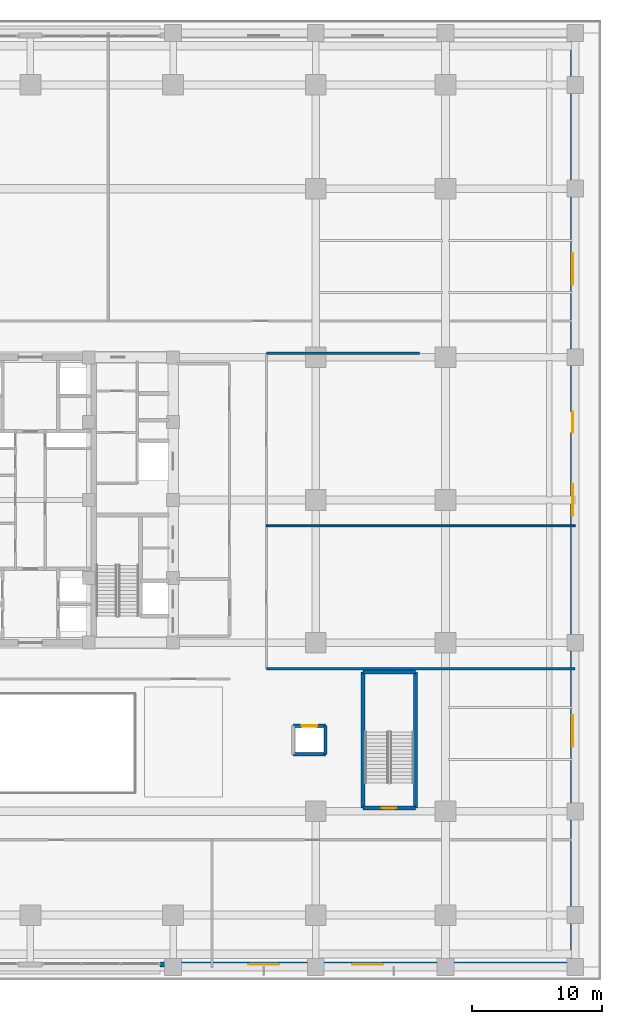
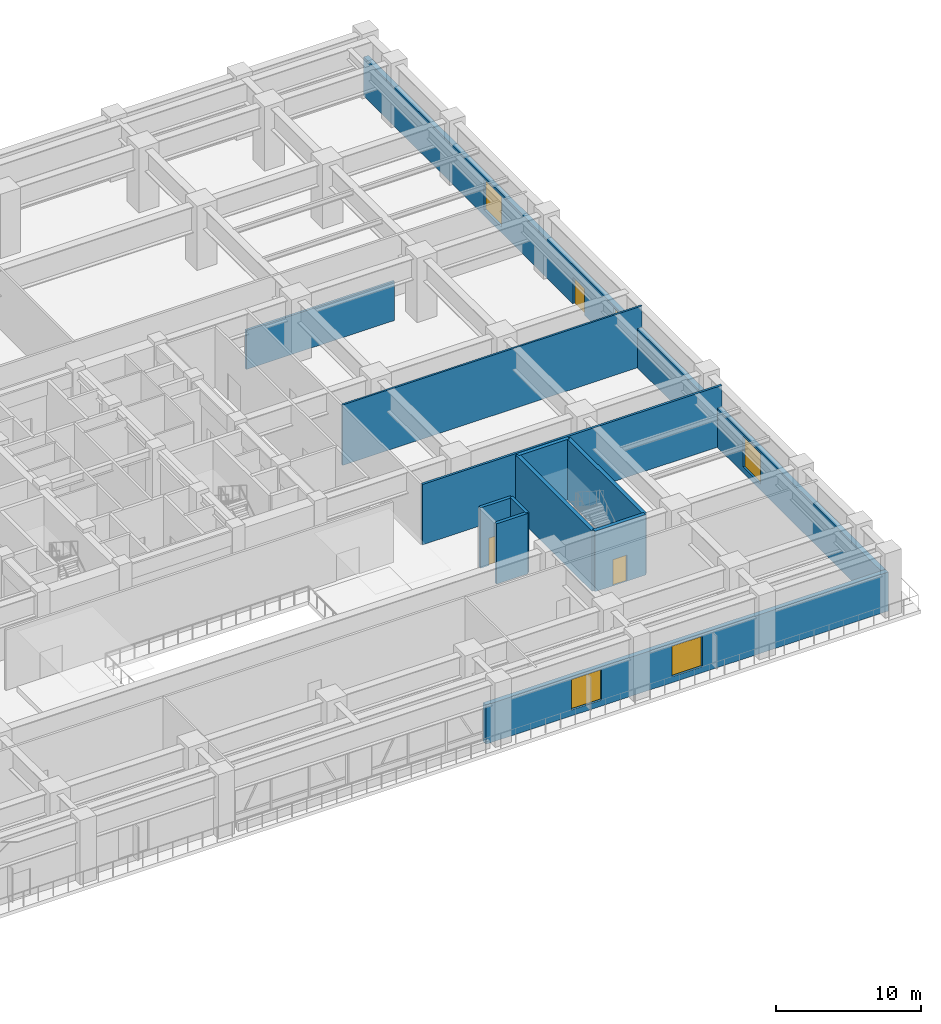
# One storey, part 20 of 28: 12 walls, 5 windows, 3 doors, 8 openings.
"""IFC4 building model written with IfcOpenShell, lengths in metres."""

import ifcopenshell
import ifcopenshell.guid

model = None  # the IFC model being written
_history = None  # IfcOwnerHistory: only IFC2X3 demands one
_inside = {}  # id of a spatial element -> (the spatial element, [elements in it])
_under = {}  # id of a project, library or spatial element -> (it, [spatial elements below it])
_declared = {}  # id of a project -> (the project, [libraries it declares])
_typed = {}  # id of a type object -> (the type object, [elements of that type])
_made_of = {}  # id of a material, layer set ... -> (it, [elements and type objects made of it])


def new_model(schema):
    """Start an empty IFC model of exactly this schema.

    Asked for "IFC4X3", IfcOpenShell would pick the latest addendum, in which some entities
    have other attributes; the version numbers below select the first issue.
    IFC2X3 requires an IfcOwnerHistory on every rooted entity: one is made here for all.
    """
    global model, _history
    if schema == "IFC4X3":
        model = ifcopenshell.file(schema_version=(4, 3, 0, 0))
    else:
        model = ifcopenshell.file(schema=schema)
    _inside.clear()
    _under.clear()
    _declared.clear()
    _typed.clear()
    _made_of.clear()
    _history = None
    if model.schema == "IFC2X3":
        org = make("IfcOrganization", Name="unknown")
        user = make(
            "IfcPersonAndOrganization",
            ThePerson=make("IfcPerson", FamilyName="unknown"),
            TheOrganization=org,
        )
        app = make(
            "IfcApplication",
            ApplicationDeveloper=org,
            Version="unknown",
            ApplicationFullName="unknown",
            ApplicationIdentifier="unknown",
        )
        _history = make(
            "IfcOwnerHistory",
            OwningUser=user,
            OwningApplication=app,
            ChangeAction="ADDED",
            CreationDate=0,
        )
    return model


def make(cls, **values):
    """One entity of the class cls with the attributes given. An attribute that is None is left unset."""
    return model.create_entity(
        cls, **{name: value for name, value in values.items() if value is not None}
    )


def rooted(cls, **values):
    """An entity with a GlobalId (a new one), such as an element, a storey or a relation."""
    return make(cls, GlobalId=ifcopenshell.guid.new(), OwnerHistory=_history, **values)


def si_unit(unit_type, name, prefix=None):
    """IfcSIUnit, for example si_unit("LENGTHUNIT", "METRE", prefix="MILLI")."""
    return make("IfcSIUnit", UnitType=unit_type, Prefix=prefix, Name=name)


def assignment(units):
    """IfcUnitAssignment: the units of a project."""
    return None if units is None else make("IfcUnitAssignment", Units=units)


def point(xyz):
    """IfcCartesianPoint."""
    return None if xyz is None else make("IfcCartesianPoint", Coordinates=xyz)


def direction(xyz):
    """IfcDirection."""
    return None if xyz is None else make("IfcDirection", DirectionRatios=xyz)


def frame(location, z_axis=None, x_axis=None):
    """IfcAxis2Placement3D, a coordinate frame: its origin and axes. An axis left out is left unset."""
    return make(
        "IfcAxis2Placement3D",
        Location=point(location),
        Axis=direction(z_axis),
        RefDirection=direction(x_axis),
    )


def frame_2d(location, x_axis=None):
    """IfcAxis2Placement2D, a coordinate frame in the plane: its origin and x axis."""
    return make(
        "IfcAxis2Placement2D", Location=point(location), RefDirection=direction(x_axis)
    )


def origin():
    """The frame at (0, 0, 0) with its axes left unset."""
    return frame((0.0, 0.0, 0.0))


def place(relative_to, where):
    """IfcLocalPlacement: puts the frame where relative to a parent placement (None: the world)."""
    return make(
        "IfcLocalPlacement", PlacementRelTo=relative_to, RelativePlacement=where
    )


def context(
    kind, dimensions, precision=None, world=None, true_north=None, identifier=None
):
    """IfcGeometricRepresentationContext, for example the 3D "Model" context."""
    return make(
        "IfcGeometricRepresentationContext",
        ContextIdentifier=identifier,
        ContextType=kind,
        CoordinateSpaceDimension=dimensions,
        Precision=precision,
        WorldCoordinateSystem=world,
        TrueNorth=true_north,
    )


def subcontext(parent, identifier, kind, view, scale=None):
    """IfcGeometricRepresentationSubContext, for example "Body" below "Model"."""
    return make(
        "IfcGeometricRepresentationSubContext",
        ContextIdentifier=identifier,
        ContextType=kind,
        ParentContext=parent,
        TargetScale=scale,
        TargetView=view,
    )


def project(units=None, contexts=None):
    """IfcProject with its units and contexts."""
    return rooted(
        "IfcProject",
        Name="project",
        RepresentationContexts=contexts,
        UnitsInContext=assignment(units),
    )


def spatial(cls, under=None, at=None, **own):
    """A site, building, storey or space (cls), placed at a placement, below another one or the project."""
    s = rooted(cls, ObjectPlacement=at, **own)
    if under is not None:
        _under.setdefault(under.id(), (under, []))[1].append(s)
    return s


def profile(cls, at=None, kind="AREA", **sizes):
    """A parametric profile (cls). Its sizes go by their IFC names, for example OverallWidth=200.0."""
    return make(cls, ProfileType=kind, Position=at, **sizes)


def rectangle(**sizes):
    """IfcRectangleProfileDef."""
    return profile("IfcRectangleProfileDef", **sizes)


def extrude(swept, where, along, depth):
    """IfcExtrudedAreaSolid: the profile swept, set in the frame where, extruded along a direction by depth."""
    return make(
        "IfcExtrudedAreaSolid",
        SweptArea=swept,
        Position=where,
        ExtrudedDirection=direction(along),
        Depth=depth,
    )


def shape(context_of_items, identifier, shape_type, items):
    """IfcShapeRepresentation: the items that make up one representation, for example the "Body"."""
    return make(
        "IfcShapeRepresentation",
        ContextOfItems=context_of_items,
        RepresentationIdentifier=identifier,
        RepresentationType=shape_type,
        Items=items,
    )


def source(mapping_origin, context_of_items, identifier, shape_type, items):
    """IfcRepresentationMap: a shape defined once, which mapped items show again and again."""
    return make(
        "IfcRepresentationMap",
        MappingOrigin=mapping_origin,
        MappedRepresentation=shape(context_of_items, identifier, shape_type, items),
    )


def transform(
    local_origin,
    x_axis=None,
    y_axis=None,
    z_axis=None,
    scale=None,
    scale2=None,
    scale3=None,
    uniform=True,
):
    """IfcCartesianTransformationOperator3D, or its non-uniform kind. x_axis, y_axis, z_axis: its Axis1, 2, 3."""
    if uniform:
        return make(
            "IfcCartesianTransformationOperator3D",
            Axis1=direction(x_axis),
            Axis2=direction(y_axis),
            LocalOrigin=point(local_origin),
            Scale=scale,
            Axis3=direction(z_axis),
        )
    return make(
        "IfcCartesianTransformationOperator3DnonUniform",
        Axis1=direction(x_axis),
        Axis2=direction(y_axis),
        LocalOrigin=point(local_origin),
        Scale=scale,
        Axis3=direction(z_axis),
        Scale2=scale2,
        Scale3=scale3,
    )


def mapped(mapping_source, mapping_target):
    """IfcMappedItem: shows the shape of a source again, moved by a transform."""
    return make(
        "IfcMappedItem", MappingSource=mapping_source, MappingTarget=mapping_target
    )


def material(Name=None, Category=None):
    """IfcMaterial."""
    return make("IfcMaterial", Name=Name, Category=Category)


def layer(
    of_material, thickness, ventilated=None, Name=None, Category=None, Priority=None
):
    """IfcMaterialLayer: one layer of a wall or slab, of a material (None: an air gap)."""
    return make(
        "IfcMaterialLayer",
        Material=of_material,
        LayerThickness=thickness,
        IsVentilated=ventilated,
        Name=Name,
        Category=Category,
        Priority=Priority,
    )


def layer_set(layers, Name=None):
    """IfcMaterialLayerSet."""
    return make("IfcMaterialLayerSet", MaterialLayers=layers, LayerSetName=Name)


def made_of(thing, what):
    """Note that an element or type object is made of a material, layer set ...; save() writes the relation."""
    if what is not None:
        _made_of.setdefault(what.id(), (what, []))[1].append(thing)
    return thing


def type_object(cls, material=None, **own):
    """A type object (cls), such as IfcWallType, which elements share."""
    return made_of(rooted(cls, **own), material)


def element(
    cls,
    number,
    at=None,
    inside=None,
    cuts=None,
    type_object=None,
    material=None,
    context=None,
    identifier="Body",
    shape_type=None,
    held_by="IfcProductDefinitionShape",
    body=None,
    shapes=None,
    **own,
):
    """One element of the class cls, such as IfcWall. Its Tag is "e" and its number.

    at: its placement. inside: the storey or other place that contains it. cuts: it is an
    opening in that element (IfcRelVoidsElement). A single representation is given by context,
    identifier, shape_type and body (its items); several are given by shapes. held_by: the class
    of the entity that holds the representations. save() writes the other relations.
    """
    e = rooted(cls, Tag="e%d" % number, ObjectPlacement=at, **own)
    if body is not None:
        shapes = [shape(context, identifier, shape_type, body)]
    if shapes is not None:
        e.Representation = make(held_by, Representations=shapes)
    if inside is not None:
        _inside.setdefault(inside.id(), (inside, []))[1].append(e)
    if cuts is not None:
        rooted(
            "IfcRelVoidsElement", RelatingBuildingElement=cuts, RelatedOpeningElement=e
        )
    if type_object is not None:
        _typed.setdefault(type_object.id(), (type_object, []))[1].append(e)
    return made_of(e, material)


def fill(opening, filler):
    """IfcRelFillsElement: the door or window that sits in an opening."""
    return rooted(
        "IfcRelFillsElement",
        RelatingOpeningElement=opening,
        RelatedBuildingElement=filler,
    )


def aggregate(whole, parts):
    """IfcRelAggregates: a whole, such as a stair, and the parts it consists of."""
    return rooted("IfcRelAggregates", RelatingObject=whole, RelatedObjects=parts)


def save(model, path):
    """Write the relations noted so far, then the file.

    IfcRelAggregates (storeys below a building ...), IfcRelContainedInSpatialStructure (elements
    in a storey), IfcRelDefinesByType, IfcRelAssociatesMaterial and IfcRelDeclares: one each for
    every whole, place, type object, material and project.
    """
    for whole, parts in _under.values():
        aggregate(whole, parts)
    for where, things in _inside.values():
        rooted(
            "IfcRelContainedInSpatialStructure",
            RelatedElements=things,
            RelatingStructure=where,
        )
    for kind, things in _typed.values():
        rooted("IfcRelDefinesByType", RelatedObjects=things, RelatingType=kind)
    for what, things in _made_of.values():
        rooted("IfcRelAssociatesMaterial", RelatedObjects=things, RelatingMaterial=what)
    for by, libraries in _declared.values():
        rooted("IfcRelDeclares", RelatingContext=by, RelatedDefinitions=libraries)
    model.write(path)


model = new_model("IFC4")

# Units and contexts
model_context = context("Model", 3, precision=1e-05, world=origin(), true_north=direction((0.0, 1.0)))
body_context = subcontext(model_context, "Body", "Model", "MODEL_VIEW")
ifc_project = project(units=[si_unit("LENGTHUNIT", "METRE"), si_unit("AREAUNIT", "SQUARE_METRE"), si_unit("VOLUMEUNIT", "CUBIC_METRE"), si_unit("PLANEANGLEUNIT", "RADIAN"), si_unit("MASSUNIT", "GRAM", prefix="KILO")], contexts=[model_context])

# Site, building, storey
site_placement = place(None, origin())
site = spatial("IfcSite", under=ifc_project, at=site_placement, CompositionType="ELEMENT")
building_placement = place(site_placement, origin())
building = spatial("IfcBuilding", under=site, at=building_placement, Name="Khorayat Bourse Tower", CompositionType="ELEMENT")
storey_placement = place(building_placement, frame((0.0, 0.0, 12.0)))
storey = spatial("IfcBuildingStorey", under=building, at=storey_placement, Name="L02", CompositionType="ELEMENT", Elevation=12.0)

# Wall, openings, windows
ifc_material_1 = material(Name="Precast concrete C45/55", Category="concrete")
ifc_layer_1 = layer(ifc_material_1, 0.3798828125)
ifc_layer_set_1 = layer_set([ifc_layer_1], Name="Precast concrete C45/55")
wall_type_1 = type_object("IfcWallType", Name="WAL-EXT-STONE-380", PredefinedType="STANDARD", material=ifc_layer_set_1)
shared_shape_1 = source(origin(), body_context, "Body", "SweptSolid", [
    extrude(rectangle(XDim=32.0, YDim=0.3798828125, at=frame_2d((16.0, 0.0))), origin(), (0.0, 0.0, 1.0), 3.280029296875),
])
wall_1_placement = place(storey_placement, frame((10.0, -35.81005859375, 0.0), z_axis=(0.0, 0.0, 1.0), x_axis=(1.0, 0.0, 0.0)))
wall_1 = element("IfcWall", 1, at=wall_1_placement, inside=storey, type_object=wall_type_1, Name="L02 Exterior Limestone Wall WAL-L02-EXT-SE", PredefinedType="STANDARD", context=body_context, shape_type="MappedRepresentation", body=[
    mapped(shared_shape_1, transform((0.0, 0.0, 0.0), scale=1.0)),
])
shared_shape_2 = source(origin(), body_context, "Body", "SweptSolid", [
    extrude(rectangle(XDim=2.39990234375, YDim=2.56005859375, at=frame_2d((1.199951171875, 1.280029296875))), frame((0.0, 0.199951171875, 0.0), z_axis=(0.0, -1.0, 0.0), x_axis=(1.0, 0.0, 0.0)), (0.0, 0.0, 1.0), 0.39990234375),
])
opening_1_placement = place(wall_1_placement, frame((6.800048828125, 0.0, 0.5)))
opening_1 = element("IfcOpeningElement", 2, at=opening_1_placement, cuts=wall_1, Name="Opening WN-01", PredefinedType="OPENING", context=body_context, shape_type="MappedRepresentation", body=[
    mapped(shared_shape_2, transform((0.0, 0.0, 0.0), scale=1.0)),
])
opening_2_placement = place(wall_1_placement, frame((14.800048828125, 0.0, 0.5)))
opening_2 = element("IfcOpeningElement", 3, at=opening_2_placement, cuts=wall_1, Name="Opening WN-01", PredefinedType="OPENING", context=body_context, shape_type="MappedRepresentation", body=[
    mapped(shared_shape_2, transform((0.0, 0.0, 0.0), scale=1.0)),
])
ifc_material_2 = material(Name="Low-E solar-control laminated double glazing", Category="glass")
window_type = type_object("IfcWindowType", Name="WIN-POD-2400x2600", PartitioningType="SINGLE_PANEL", PredefinedType="WINDOW", material=ifc_material_2)
shared_shape_3 = source(origin(), body_context, "Body", "SweptSolid", [
    extrude(rectangle(XDim=2.39990234375, YDim=2.56005859375, at=frame_2d((1.199951171875, 1.280029296875))), frame((0.0, 0.030029296875, 0.0), z_axis=(0.0, -1.0, 0.0), x_axis=(1.0, 0.0, 0.0)), (0.0, 0.0, 1.0), 0.06005859375),
])
window_1_placement = place(opening_1_placement, origin())
window_1 = element("IfcWindow", 4, at=window_1_placement, inside=storey, type_object=window_type, Name="L02 Facade Window 1", OverallHeight=2.56005859375, OverallWidth=2.39990234375, PartitioningType="SINGLE_PANEL", PredefinedType="WINDOW", context=body_context, shape_type="MappedRepresentation", body=[
    mapped(shared_shape_3, transform((0.0, 0.0, 0.0), scale=1.0)),
])
fill(opening_1, window_1)
window_2_placement = place(opening_2_placement, origin())
window_2 = element("IfcWindow", 5, at=window_2_placement, inside=storey, type_object=window_type, Name="L02 Facade Window 2", OverallHeight=2.56005859375, OverallWidth=2.39990234375, PartitioningType="SINGLE_PANEL", PredefinedType="WINDOW", context=body_context, shape_type="MappedRepresentation", body=[
    mapped(shared_shape_3, transform((0.0, 0.0, 0.0), scale=1.0)),
])
fill(opening_2, window_2)

# Wall, openings, door, windows
shared_shape_4 = source(origin(), body_context, "Body", "SweptSolid", [
    extrude(rectangle(XDim=71.240234375, YDim=0.3798828125, at=frame_2d((35.6201171875, 0.0))), origin(), (0.0, 0.0, 1.0), 3.280029296875),
])
wall_2_placement = place(storey_placement, frame((41.81005859375, -35.6201171875, 0.0), z_axis=(0.0, 0.0, 1.0), x_axis=(0.0, 1.0, 0.0)))
wall_2 = element("IfcWall", 6, at=wall_2_placement, inside=storey, type_object=wall_type_1, Name="L02 Exterior Limestone Wall WAL-L02-EXT-EF", PredefinedType="STANDARD", context=body_context, shape_type="MappedRepresentation", body=[
    mapped(shared_shape_4, transform((0.0, 0.0, 0.0), scale=1.0)),
])
shared_shape_5 = source(origin(), body_context, "Body", "SweptSolid", [
    extrude(rectangle(XDim=1.60009765625, YDim=2.25, at=frame_2d((0.800048828125, 1.125))), frame((0.0, 0.199951171875, 0.0), z_axis=(0.0, -1.0, 0.0), x_axis=(1.0, 0.0, 0.0)), (0.0, 0.0, 1.0), 0.39990234375),
])
opening_3_placement = place(wall_2_placement, frame((40.820068359375, 0.0, 0.0)))
opening_3 = element("IfcOpeningElement", 7, at=opening_3_placement, cuts=wall_2, Name="Opening DE-04", PredefinedType="OPENING", context=body_context, shape_type="MappedRepresentation", body=[
    mapped(shared_shape_5, transform((0.0, 0.0, 0.0), scale=1.0)),
])
opening_4_placement = place(wall_2_placement, frame((16.610107421875, 0.0, 0.5)))
opening_4 = element("IfcOpeningElement", 8, at=opening_4_placement, cuts=wall_2, Name="Opening WN-01", PredefinedType="OPENING", context=body_context, shape_type="MappedRepresentation", body=[
    mapped(shared_shape_2, transform((0.0, 0.0, 0.0), scale=1.0)),
])
opening_5_placement = place(wall_2_placement, frame((34.419921875, 0.0, 0.5)))
opening_5 = element("IfcOpeningElement", 9, at=opening_5_placement, cuts=wall_2, Name="Opening WN-01", PredefinedType="OPENING", context=body_context, shape_type="MappedRepresentation", body=[
    mapped(shared_shape_2, transform((0.0, 0.0, 0.0), scale=1.0)),
])
opening_6_placement = place(wall_2_placement, frame((52.22998046875, 0.0, 0.5)))
opening_6 = element("IfcOpeningElement", 10, at=opening_6_placement, cuts=wall_2, Name="Opening WN-01", PredefinedType="OPENING", context=body_context, shape_type="MappedRepresentation", body=[
    mapped(shared_shape_2, transform((0.0, 0.0, 0.0), scale=1.0)),
])
ifc_material_3 = material(Name="Thermally broken aluminium terrace double door", Category="aluminium")
door_type_1 = type_object("IfcDoorType", Name="DR-EXT-TERR-1600", OperationType="NOTDEFINED", PredefinedType="DOOR", material=ifc_material_3)
shared_shape_6 = source(origin(), body_context, "Body", "SweptSolid", [
    extrude(rectangle(XDim=1.60009765625, YDim=2.25, at=frame_2d((0.800048828125, 1.125))), frame((0.0, 0.02490234375, 0.0), z_axis=(0.0, -1.0, 0.0), x_axis=(1.0, 0.0, 0.0)), (0.0, 0.0, 1.0), 0.050048828125),
])
door_1_placement = place(opening_3_placement, origin())
door_1 = element("IfcDoor", 11, at=door_1_placement, inside=storey, type_object=door_type_1, Name="L02 East Garden Terrace Door", OperationType="DOUBLE_DOOR_SINGLE_SWING", OverallHeight=2.25, OverallWidth=1.60009765625, PredefinedType="DOOR", context=body_context, shape_type="MappedRepresentation", body=[
    mapped(shared_shape_6, transform((0.0, 0.0, 0.0), scale=1.0)),
])
fill(opening_3, door_1)
window_3_placement = place(opening_4_placement, origin())
window_3 = element("IfcWindow", 12, at=window_3_placement, inside=storey, type_object=window_type, Name="L02 Facade Window 1", OverallHeight=2.56005859375, OverallWidth=2.39990234375, PartitioningType="SINGLE_PANEL", PredefinedType="WINDOW", context=body_context, shape_type="MappedRepresentation", body=[
    mapped(shared_shape_3, transform((0.0, 0.0, 0.0), scale=1.0)),
])
fill(opening_4, window_3)
window_4_placement = place(opening_5_placement, origin())
window_4 = element("IfcWindow", 13, at=window_4_placement, inside=storey, type_object=window_type, Name="L02 Facade Window 2", OverallHeight=2.56005859375, OverallWidth=2.39990234375, PartitioningType="SINGLE_PANEL", PredefinedType="WINDOW", context=body_context, shape_type="MappedRepresentation", body=[
    mapped(shared_shape_3, transform((0.0, 0.0, 0.0), scale=1.0)),
])
fill(opening_5, window_4)
window_5_placement = place(opening_6_placement, origin())
window_5 = element("IfcWindow", 14, at=window_5_placement, inside=storey, type_object=window_type, Name="L02 Facade Window 3", OverallHeight=2.56005859375, OverallWidth=2.39990234375, PartitioningType="SINGLE_PANEL", PredefinedType="WINDOW", context=body_context, shape_type="MappedRepresentation", body=[
    mapped(shared_shape_3, transform((0.0, 0.0, 0.0), scale=1.0)),
])
fill(opening_6, window_5)

# Wall, opening, door
ifc_material_4 = material(Name="Concrete C50/60", Category="concrete")
ifc_layer_2 = layer(ifc_material_4, 0.300048828125)
ifc_layer_set_2 = layer_set([ifc_layer_2], Name="Concrete C50/60")
wall_type_2 = type_object("IfcWallType", Name="WAL-SHAFT-300", PredefinedType="SHEAR", material=ifc_layer_set_2)
shared_shape_7 = source(origin(), body_context, "Body", "SweptSolid", [
    extrude(rectangle(XDim=4.050048828125, YDim=0.300048828125, at=frame_2d((2.02490234375, 0.0))), origin(), (0.0, 0.0, 1.0), 5.080078125),
])
wall_3_placement = place(storey_placement, frame((25.64990234375, -23.75, 0.0), z_axis=(0.0, 0.0, 1.0), x_axis=(1.0, 0.0, 0.0)))
wall_3 = element("IfcWall", 15, at=wall_3_placement, inside=storey, type_object=wall_type_2, Name="L02 Partition WAL-L02-STP2-S", PredefinedType="SHEAR", context=body_context, shape_type="MappedRepresentation", body=[
    mapped(shared_shape_7, transform((0.0, 0.0, 0.0), scale=1.0)),
])
shared_shape_8 = source(origin(), body_context, "Body", "SweptSolid", [
    extrude(rectangle(XDim=1.10009765625, YDim=2.199951171875, at=frame_2d((0.550048828125, 1.10009765625))), frame((0.0, 0.159912109375, 0.0), z_axis=(0.0, -1.0, 0.0), x_axis=(1.0, 0.0, 0.0)), (0.0, 0.0, 1.0), 0.320068359375),
])
opening_7_placement = place(wall_3_placement, frame((1.449951171875, 0.0, 0.0)))
opening_7 = element("IfcOpeningElement", 16, at=opening_7_placement, cuts=wall_3, Name="Opening DI-01", PredefinedType="OPENING", context=body_context, shape_type="MappedRepresentation", body=[
    mapped(shared_shape_8, transform((0.0, 0.0, 0.0), scale=1.0)),
])
ifc_material_5 = material(Name="Fire-rated steel acoustic leaf", Category="steel")
door_type_2 = type_object("IfcDoorType", Name="DR-INT-STAIR-1100", OperationType="NOTDEFINED", PredefinedType="DOOR", material=ifc_material_5)
shared_shape_9 = source(origin(), body_context, "Body", "SweptSolid", [
    extrude(rectangle(XDim=1.10009765625, YDim=2.199951171875, at=frame_2d((0.550048828125, 1.10009765625))), frame((0.0, 0.02490234375, 0.0), z_axis=(0.0, -1.0, 0.0), x_axis=(1.0, 0.0, 0.0)), (0.0, 0.0, 1.0), 0.050048828125),
])
door_2_placement = place(opening_7_placement, origin())
door_2 = element("IfcDoor", 17, at=door_2_placement, inside=storey, type_object=door_type_2, Name="L02 Podium Stair P2 Door", OperationType="SINGLE_SWING_RIGHT", OverallHeight=2.199951171875, OverallWidth=1.10009765625, PredefinedType="DOOR", context=body_context, shape_type="MappedRepresentation", body=[
    mapped(shared_shape_9, transform((0.0, 0.0, 0.0), scale=1.0)),
])
fill(opening_7, door_2)

# Walls
wall_4_placement = place(storey_placement, frame((25.64990234375, -13.25, 0.0), z_axis=(0.0, 0.0, 1.0), x_axis=(1.0, 0.0, 0.0)))
element("IfcWall", 18, at=wall_4_placement, inside=storey, type_object=wall_type_2, Name="L02 Partition WAL-L02-STP2-N", PredefinedType="SHEAR", context=body_context, shape_type="MappedRepresentation", body=[
    mapped(shared_shape_7, transform((0.0, 0.0, 0.0), scale=1.0)),
])
shared_shape_10 = source(origin(), body_context, "Body", "SweptSolid", [
    extrude(rectangle(XDim=10.5, YDim=0.300048828125, at=frame_2d((5.25, 0.0))), origin(), (0.0, 0.0, 1.0), 5.080078125),
])
for number, where, z_axis, x_axis, name in (
    (19, (25.64990234375, -23.75, 0.0), (0.0, 0.0, 1.0), (0.0, 1.0, 0.0), "L02 Partition WAL-L02-STP2-W"),
    (20, (29.699951171875, -23.75, 0.0), (0.0, 0.0, 1.0), (0.0, 1.0, 0.0), "L02 Partition WAL-L02-STP2-E"),
):
    element("IfcWall", number, at=place(storey_placement, frame(where, z_axis=z_axis, x_axis=x_axis)), inside=storey, type_object=wall_type_2, Name=name, PredefinedType="SHEAR", context=body_context, shape_type="MappedRepresentation", body=[
        mapped(shared_shape_10, transform((0.0, 0.0, 0.0), scale=1.0)),
    ])
shared_shape_11 = source(origin(), body_context, "Body", "SweptSolid", [
    extrude(rectangle(XDim=2.5, YDim=0.25, at=frame_2d((1.25, 0.0))), origin(), (0.0, 0.0, 1.0), 5.080078125),
])
wall_5_placement = place(storey_placement, frame((20.25, -19.60009765625, 0.0), z_axis=(0.0, 0.0, 1.0), x_axis=(1.0, 0.0, 0.0)))
element("IfcWall", 21, at=wall_5_placement, inside=storey, type_object=wall_type_2, Name="L02 Partition WAL-L02-PLP2-S", PredefinedType="SHEAR", context=body_context, shape_type="MappedRepresentation", body=[
    mapped(shared_shape_11, transform((0.0, 0.0, 0.0), scale=1.0)),
])

# Wall, opening, door
wall_6_placement = place(storey_placement, frame((20.25, -17.39990234375, 0.0), z_axis=(0.0, 0.0, 1.0), x_axis=(1.0, 0.0, 0.0)))
wall_6 = element("IfcWall", 22, at=wall_6_placement, inside=storey, type_object=wall_type_2, Name="L02 Partition WAL-L02-PLP2-N", PredefinedType="SHEAR", context=body_context, shape_type="MappedRepresentation", body=[
    mapped(shared_shape_11, transform((0.0, 0.0, 0.0), scale=1.0)),
])
shared_shape_12 = source(origin(), body_context, "Body", "SweptSolid", [
    extrude(rectangle(XDim=1.199951171875, YDim=2.300048828125, at=frame_2d((0.60009765625, 1.14990234375))), frame((0.0, 0.135009765625, 0.0), z_axis=(0.0, -1.0, 0.0), x_axis=(1.0, 0.0, 0.0)), (0.0, 0.0, 1.0), 0.27001953125),
])
opening_8_placement = place(wall_6_placement, frame((0.64990234375, 0.0, 0.0)))
opening_8 = element("IfcOpeningElement", 23, at=opening_8_placement, cuts=wall_6, Name="Opening LD-01", PredefinedType="OPENING", context=body_context, shape_type="MappedRepresentation", body=[
    mapped(shared_shape_12, transform((0.0, 0.0, 0.0), scale=1.0)),
])
ifc_material_6 = material(Name="Brushed bronze stainless-steel sliding door", Category="steel")
door_type_3 = type_object("IfcDoorType", Name="DR-LIFT-PASS-1200", OperationType="NOTDEFINED", PredefinedType="DOOR", material=ifc_material_6)
shared_shape_13 = source(origin(), body_context, "Body", "SweptSolid", [
    extrude(rectangle(XDim=1.199951171875, YDim=2.300048828125, at=frame_2d((0.60009765625, 1.14990234375))), frame((0.0, 0.02490234375, 0.0), z_axis=(0.0, -1.0, 0.0), x_axis=(1.0, 0.0, 0.0)), (0.0, 0.0, 1.0), 0.050048828125),
])
door_3_placement = place(opening_8_placement, origin())
door_3 = element("IfcDoor", 24, at=door_3_placement, inside=storey, type_object=door_type_3, Name="L02 Lift PL-P2 Sliding Landing Door", OperationType="SLIDING_TO_LEFT", OverallHeight=2.300048828125, OverallWidth=1.199951171875, PredefinedType="DOOR", context=body_context, shape_type="MappedRepresentation", body=[
    mapped(shared_shape_13, transform((0.0, 0.0, 0.0), scale=1.0)),
])
fill(opening_8, door_3)

# Walls
shared_shape_14 = source(origin(), body_context, "Body", "SweptSolid", [
    extrude(rectangle(XDim=2.2001953125, YDim=0.25, at=frame_2d((1.10009765625, 0.0))), origin(), (0.0, 0.0, 1.0), 5.080078125),
])
wall_7_placement = place(storey_placement, frame((22.75, -19.60009765625, 0.0), z_axis=(0.0, 0.0, 1.0), x_axis=(0.0, 1.0, 0.0)))
element("IfcWall", 25, at=wall_7_placement, inside=storey, type_object=wall_type_2, Name="L02 Partition WAL-L02-PLP2-E", PredefinedType="SHEAR", context=body_context, shape_type="MappedRepresentation", body=[
    mapped(shared_shape_14, transform((0.0, 0.0, 0.0), scale=1.0)),
])
ifc_material_7 = material(Name="Gypsum plasterboard acoustic stud wall")
ifc_layer_3 = layer(ifc_material_7, 0.179931640625)
ifc_layer_set_3 = layer_set([ifc_layer_3], Name="Gypsum plasterboard acoustic stud wall")
wall_type_3 = type_object("IfcWallType", Name="WAL-PART-CORR-180", PredefinedType="PARTITIONING", material=ifc_layer_set_3)
shared_shape_15 = source(origin(), body_context, "Body", "SweptSolid", [
    extrude(rectangle(XDim=11.800048828125, YDim=0.179931640625, at=frame_2d((5.89990234375, 0.0))), origin(), (0.0, 0.0, 1.0), 3.280029296875),
])
wall_8_placement = place(storey_placement, frame((18.199951171875, 11.300048828125, 0.0), z_axis=(0.0, 0.0, 1.0), x_axis=(1.0, 0.0, 0.0)))
element("IfcWall", 26, at=wall_8_placement, inside=storey, type_object=wall_type_3, Name="L02 Partition WAL-L02-PCORRN-SE", PredefinedType="PARTITIONING", context=body_context, shape_type="MappedRepresentation", body=[
    mapped(shared_shape_15, transform((0.0, 0.0, 0.0), scale=1.0)),
])
shared_shape_16 = source(origin(), body_context, "Body", "SweptSolid", [
    extrude(rectangle(XDim=23.800048828125, YDim=0.179931640625, at=frame_2d((11.89990234375, 0.0))), origin(), (0.0, 0.0, 1.0), 5.080078125),
])
wall_9_placement = place(storey_placement, frame((18.199951171875, -13.0, 0.0), z_axis=(0.0, 0.0, 1.0), x_axis=(1.0, 0.0, 0.0)))
element("IfcWall", 27, at=wall_9_placement, inside=storey, type_object=wall_type_3, Name="L02 Partition WAL-L02-PE-S", PredefinedType="PARTITIONING", context=body_context, shape_type="MappedRepresentation", body=[
    mapped(shared_shape_16, transform((0.0, 0.0, 0.0), scale=1.0)),
])
ifc_material_8 = material(Name="Gypsum plasterboard twin-frame partition")
ifc_layer_4 = layer(ifc_material_8, 0.14990234375)
ifc_layer_set_4 = layer_set([ifc_layer_4], Name="Gypsum plasterboard twin-frame partition")
wall_type_4 = type_object("IfcWallType", Name="WAL-PART-SUITE-150", PredefinedType="PARTITIONING", material=ifc_layer_set_4)
shared_shape_17 = source(origin(), body_context, "Body", "SweptSolid", [
    extrude(rectangle(XDim=23.800048828125, YDim=0.14990234375, at=frame_2d((11.89990234375, 0.0))), origin(), (0.0, 0.0, 1.0), 5.080078125),
])
wall_10_placement = place(storey_placement, frame((18.199951171875, -2.0, 0.0), z_axis=(0.0, 0.0, 1.0), x_axis=(1.0, 0.0, 0.0)))
element("IfcWall", 28, at=wall_10_placement, inside=storey, type_object=wall_type_4, Name="L02 Partition WAL-L02-PE-DIV-1", PredefinedType="PARTITIONING", context=body_context, shape_type="MappedRepresentation", body=[
    mapped(shared_shape_17, transform((0.0, 0.0, 0.0), scale=1.0)),
])

save(model, "model.ifc")
